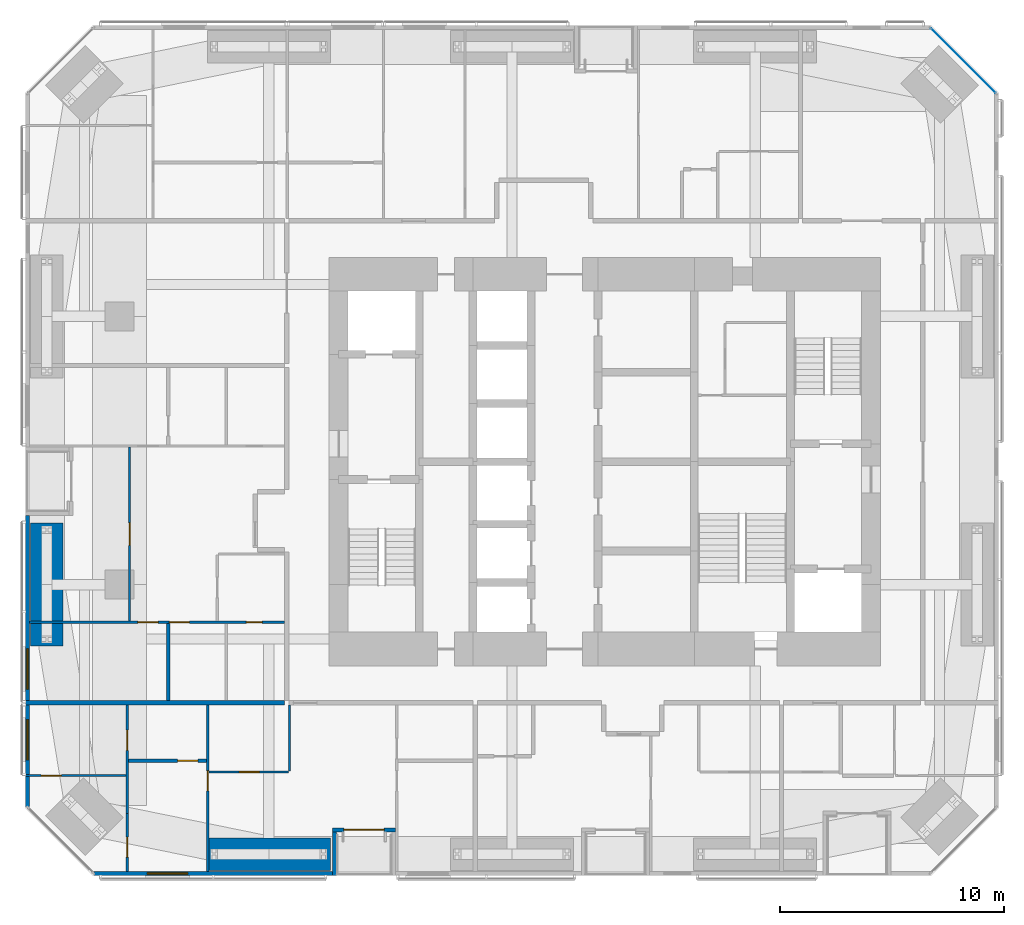
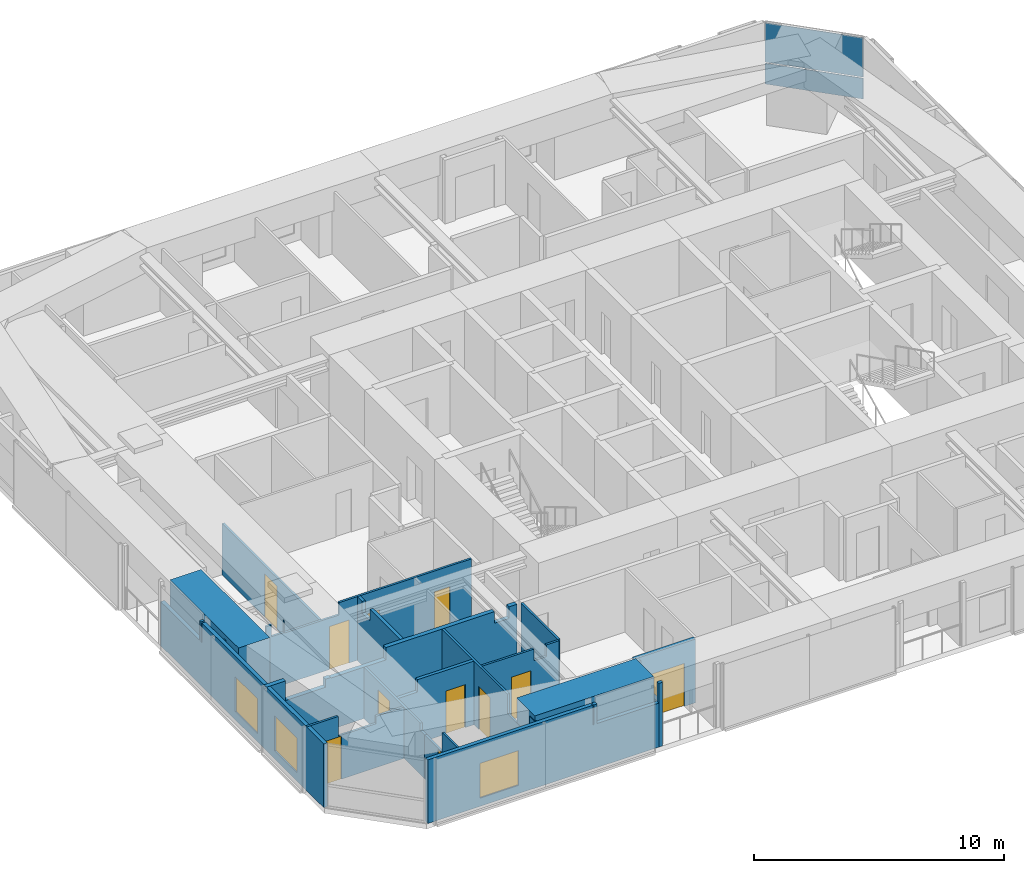
# One storey, part 16 of 23: 17 walls, 11 doors, 3 windows, 2 plates, 14 openings, 1 element without a shape of its own.
"""IFC4 building model written with IfcOpenShell, lengths in metres."""

from ifc_helpers import new_model, si_unit, direction, frame, frame_2d, origin, origin_2d, place, context, subcontext, project, spatial, polyline, rectangle, outline, extrude, material, layer, layer_set, constituent, constituent_set, type_object, element, fill, aggregate, save


model = new_model("IFC4")

# Units and contexts
model_context = context("Model", 3, precision=1e-05, world=origin(), true_north=direction((0.0, 1.0)))
body_context = subcontext(model_context, "Body", "Model", "MODEL_VIEW")
ifc_project = project(units=[si_unit("LENGTHUNIT", "METRE"), si_unit("AREAUNIT", "SQUARE_METRE"), si_unit("VOLUMEUNIT", "CUBIC_METRE"), si_unit("PLANEANGLEUNIT", "RADIAN"), si_unit("MASSUNIT", "GRAM", prefix="KILO")], contexts=[model_context])

# Site, building, storey
site_placement = place(None, origin())
site = spatial("IfcSite", under=ifc_project, at=site_placement, CompositionType="ELEMENT")
building_placement = place(site_placement, origin())
building = spatial("IfcBuilding", under=site, at=building_placement, Name="Jalousie Tower", CompositionType="ELEMENT")
storey_placement = place(building_placement, frame((0.0, 0.0, 111.550048828125)))
storey = spatial("IfcBuildingStorey", under=building, at=storey_placement, Name="L30", CompositionType="ELEMENT", Elevation=111.550048828125)

# Curtain wall, plates
ifc_material_1 = material(Name="Aluminium curtain wall", Category="aluminium")
curtain_wall_type = type_object("IfcCurtainWallType", Name="CORNER WINDOW WALL", PredefinedType="USERDEFINED", material=ifc_material_1)
curtain_wall_placement = place(storey_placement, origin())
curtain_wall = element("IfcCurtainWall", 1, at=curtain_wall_placement, inside=storey, type_object=curtain_wall_type, Name="Corner Window Wall L30 4", ObjectType="CORNER WINDOW WALL", PredefinedType="USERDEFINED")
ifc_material_2 = material(Name="Laminated impact-rated spandrel glass", Category="glass")
ifc_layer_1 = layer(ifc_material_2, 0.028076171875)
ifc_layer_set_1 = layer_set([ifc_layer_1], Name="Laminated impact-rated spandrel glass")
plate_type = type_object("IfcPlateType", Name="CORNER WINDOW WALL PANEL", PredefinedType="CURTAIN_PANEL", material=ifc_layer_set_1)
plate_1_placement = place(storey_placement, frame((47.9306640625, 36.4306640625, 0.06005859375), z_axis=(0.0, 0.0, 1.0), x_axis=(-0.707106781187, 0.707106781187, 0.0)))
plate_1 = element("IfcPlate", 2, at=plate_1_placement, type_object=plate_type, Name="CW-C panel 1.1", PredefinedType="CURTAIN_PANEL", context=body_context, shape_type="SweptSolid", body=[
    extrude(rectangle(XDim=4.071533203125, YDim=0.028076171875, at=origin_2d()), origin(), (0.0, 0.0, 1.0), 1.010009765625),
])
plate_2_placement = place(storey_placement, frame((47.9306640625, 36.4306640625, 1.1298828125), z_axis=(0.0, 0.0, 1.0), x_axis=(-0.707106781187, 0.707106781187, 0.0)))
plate_2 = element("IfcPlate", 3, at=plate_2_placement, type_object=plate_type, Name="CW-C panel 1.2", PredefinedType="CURTAIN_PANEL", context=body_context, shape_type="SweptSolid", body=[
    extrude(rectangle(XDim=4.071533203125, YDim=0.028076171875, at=origin_2d()), origin(), (0.0, 0.0, 1.0), 1.919921875),
])
aggregate(curtain_wall, [plate_1, plate_2])

# Wall, opening, door
ifc_material_3 = material(Name="Concrete block ASTM C90", Category="concrete")
ifc_constituent_1 = constituent(ifc_material_3, Name="Body")
ifc_material_4 = material(Name="Render")
ifc_constituent_2 = constituent(ifc_material_4, Name="Finish")
ifc_constituent_set_1 = constituent_set(constituents=[ifc_constituent_1, ifc_constituent_2])
wall_type_1 = type_object("IfcWallType", Name="BATHROOM WALL 150", PredefinedType="PLUMBINGWALL", material=ifc_constituent_set_1)
wall_1_placement = place(storey_placement, frame((10.60009765625, 5.125, 0.0), z_axis=(0.0, 0.0, 1.0), x_axis=(1.0, 0.0, 0.0)))
wall_1 = element("IfcWall", 4, at=wall_1_placement, inside=storey, type_object=wall_type_1, Name="Bathroom Wall 150 L30", PredefinedType="PLUMBINGWALL", context=body_context, shape_type="SweptSolid", body=[
    extrude(outline(polyline([(0.0, 0.0), (3.5, 0.0), (3.5, 3.10986328125), (0.885009765625, 3.10986328125), (0.885009765625, 2.510009765625), (0.0, 2.510009765625), (0.0, 3.10986328125), (0.0, 0.0)])), frame((0.0, 0.074951171875, 0.0), z_axis=(0.0, -1.0, 0.0), x_axis=(1.0, 0.0, 0.0)), (0.0, 0.0, 1.0), 0.14990234375),
])
opening_1_placement = place(wall_1_placement, frame((2.199951171875, 0.0, 0.0)))
opening_1 = element("IfcOpeningElement", 5, at=opening_1_placement, cuts=wall_1, Name="Opening D3", PredefinedType="OPENING", context=body_context, shape_type="SweptSolid", body=[
    extrude(rectangle(XDim=0.89990234375, YDim=2.10009765625, at=frame_2d((0.449951171875, 1.050048828125))), frame((0.0, 0.0849609375, 0.0), z_axis=(0.0, -1.0, 0.0), x_axis=(1.0, 0.0, 0.0)), (0.0, 0.0, 1.0), 0.169921875),
])
ifc_material_5 = material(Name="Timber door", Category="wood")
door_type_1 = type_object("IfcDoorType", Name="BATHROOM DOOR 900", OperationType="SINGLE_SWING_LEFT", PredefinedType="DOOR", material=ifc_material_5)
door_1_placement = place(opening_1_placement, origin())
door_1 = element("IfcDoor", 6, at=door_1_placement, inside=storey, type_object=door_type_1, Name="Apartment 3001 bedroom 2 bathroom door", OperationType="SINGLE_SWING_RIGHT", OverallHeight=2.10009765625, OverallWidth=0.89990234375, PredefinedType="DOOR", context=body_context, shape_type="SweptSolid", body=[
    extrude(rectangle(XDim=0.89990234375, YDim=2.10009765625, at=frame_2d((0.449951171875, 1.050048828125))), frame((0.0, 0.02490234375, 0.0), z_axis=(0.0, -1.0, 0.0), x_axis=(1.0, 0.0, 0.0)), (0.0, 0.0, 1.0), 0.050048828125),
])
fill(opening_1, door_1)

# Wall
wall_2_placement = place(storey_placement, frame((12.375, 7.824951171875, 0.0), z_axis=(0.0, 0.0, 1.0), x_axis=(0.0, 1.0, 0.0)))
element("IfcWall", 7, at=wall_2_placement, inside=storey, type_object=wall_type_1, Name="Bathroom Wall 150 L30", PredefinedType="PLUMBINGWALL", context=body_context, shape_type="SweptSolid", body=[
    extrude(outline(polyline([(0.0, 0.0), (3.449951171875, 0.0), (3.449951171875, 3.10986328125), (3.0625, 3.10986328125), (3.0625, 2.541015625), (2.4375, 2.541015625), (2.4375, 3.10986328125), (0.0, 3.10986328125), (0.0, 0.0)])), frame((0.0, 0.074951171875, 0.0), z_axis=(0.0, -1.0, 0.0), x_axis=(1.0, 0.0, 0.0)), (0.0, 0.0, 1.0), 0.14990234375),
])

# Wall, opening, window
ifc_material_6 = material(Name="Concrete f'c 40 MPa", Category="concrete")
ifc_constituent_3 = constituent(ifc_material_6, Name="Body")
ifc_material_7 = material(Name="Render, pastel sea green")
ifc_constituent_4 = constituent(ifc_material_7, Name="Finish")
ifc_constituent_set_2 = constituent_set(constituents=[ifc_constituent_3, ifc_constituent_4])
wall_type_2 = type_object("IfcWallType", Name="EXTERNAL WALL 175 SEA GREEN RENDER", PredefinedType="SOLIDWALL", material=ifc_constituent_set_2)
wall_3_placement = place(storey_placement, frame((9.05126953125, 0.08740234375, 0.0), z_axis=(0.0, 0.0, 1.0), x_axis=(1.0, 0.0, 0.0)))
wall_3 = element("IfcWall", 8, at=wall_3_placement, inside=storey, type_object=wall_type_2, Name="External Wall 175 Sea Green Render L30", PredefinedType="SOLIDWALL", context=body_context, shape_type="SweptSolid", body=[
    extrude(outline(polyline([(0.0, 0.0), (10.673828125, 0.0), (10.673583984375, 2.14990234375), (7.82373046875, 2.14990234375), (7.82373046875, 3.10986328125), (7.66552734375, 3.10986328125), (7.66552734375, 2.14990234375), (7.620361328125, 2.14990234375), (7.620361328125, 3.10986328125), (0.0, 3.10986328125), (0.0, 0.0)])), frame((0.0, 0.08740234375, 0.0), z_axis=(0.0, -1.0, 0.0), x_axis=(1.0, 0.0, 0.0)), (0.0, 0.0, 1.0), 0.175048828125),
])
opening_2_placement = place(wall_3_placement, frame((2.398681640625, 0.0, 0.39990234375)))
opening_2 = element("IfcOpeningElement", 9, at=opening_2_placement, cuts=wall_3, Name="Opening W-BED170", PredefinedType="OPENING", context=body_context, shape_type="SweptSolid", body=[
    extrude(rectangle(XDim=1.800048828125, YDim=1.699951171875, at=frame_2d((0.89990234375, 0.85009765625))), frame((0.0, 0.097412109375, 0.0), z_axis=(0.0, -1.0, 0.0), x_axis=(1.0, 0.0, 0.0)), (0.0, 0.0, 1.0), 0.195068359375),
])
ifc_material_8 = material(Name="Aluminium frame, impact-rated glazing", Category="aluminium")
window_type = type_object("IfcWindowType", Name="WINDOW BED 1800x1700", PartitioningType="SINGLE_PANEL", PredefinedType="WINDOW", material=ifc_material_8)
window_1_placement = place(opening_2_placement, origin())
window_1 = element("IfcWindow", 10, at=window_1_placement, inside=storey, type_object=window_type, Name="Apartment 3001 bedroom 2 window", OverallHeight=1.699951171875, OverallWidth=1.800048828125, PartitioningType="SINGLE_PANEL", PredefinedType="WINDOW", context=body_context, shape_type="SweptSolid", body=[
    extrude(rectangle(XDim=1.800048828125, YDim=1.699951171875, at=frame_2d((0.89990234375, 0.85009765625))), frame((0.0, 0.030029296875, 0.0), z_axis=(0.0, -1.0, 0.0), x_axis=(1.0, 0.0, 0.0)), (0.0, 0.0, 1.0), 0.06005859375),
])
fill(opening_2, window_1)

# Wall, opening, door
wall_4_placement = place(storey_placement, frame((19.72509765625, 2.03759765625, 0.0), z_axis=(0.0, 0.0, 1.0), x_axis=(1.0, 0.0, 0.0)))
wall_4 = element("IfcWall", 11, at=wall_4_placement, inside=storey, type_object=wall_type_2, Name="External Wall 175 Sea Green Render L30", PredefinedType="SOLIDWALL", context=body_context, shape_type="SweptSolid", body=[
    extrude(rectangle(XDim=2.824951171875, YDim=0.175048828125, at=frame_2d((1.41259765625, 0.0))), origin(), (0.0, 0.0, 1.0), 3.10986328125),
])
opening_3_placement = place(wall_4_placement, frame((0.512451171875, 0.0, 0.0)))
opening_3 = element("IfcOpeningElement", 12, at=opening_3_placement, cuts=wall_4, Name="Opening D-BAL21", PredefinedType="OPENING", context=body_context, shape_type="SweptSolid", body=[
    extrude(rectangle(XDim=1.800048828125, YDim=2.10009765625, at=frame_2d((0.89990234375, 1.050048828125))), frame((0.0, 0.097412109375, 0.0), z_axis=(0.0, -1.0, 0.0), x_axis=(1.0, 0.0, 0.0)), (0.0, 0.0, 1.0), 0.195068359375),
])
ifc_material_9 = material(Name="Aluminium frame, impact-rated glazing", Category="aluminium")
door_type_2 = type_object("IfcDoorType", Name="BALCONY DOOR 1800x2100", OperationType="SLIDING_TO_LEFT", PredefinedType="DOOR", material=ifc_material_9)
door_2_placement = place(opening_3_placement, origin())
door_2 = element("IfcDoor", 13, at=door_2_placement, inside=storey, type_object=door_type_2, Name="Apartment 3001 living and dining room loggia door", OperationType="SLIDING_TO_LEFT", OverallHeight=2.10009765625, OverallWidth=1.800048828125, PredefinedType="DOOR", context=body_context, shape_type="SweptSolid", body=[
    extrude(rectangle(XDim=1.800048828125, YDim=2.10009765625, at=frame_2d((0.89990234375, 1.050048828125))), frame((0.0, 0.02490234375, 0.0), z_axis=(0.0, -1.0, 0.0), x_axis=(1.0, 0.0, 0.0)), (0.0, 0.0, 1.0), 0.050048828125),
])
fill(opening_3, door_2)

# Wall
wall_5_placement = place(storey_placement, frame((19.8125, 0.0, 0.0), z_axis=(0.0, 0.0, 1.0), x_axis=(0.0, 1.0, 0.0)))
element("IfcWall", 14, at=wall_5_placement, inside=storey, type_object=wall_type_2, Name="External Wall 175 Sea Green Render L30", PredefinedType="SOLIDWALL", context=body_context, shape_type="SweptSolid", body=[
    extrude(outline(polyline([(0.0, 0.0), (1.949951171875, 0.0), (1.949951171875, 3.10986328125), (1.75, 3.10986328125), (1.75, 2.14990234375), (0.14990234375, 2.14990234375), (0.14990234375, 3.10986328125), (0.0, 3.10986328125), (0.0, 0.0)])), frame((0.0, 0.08740234375, 0.0), z_axis=(0.0, -1.0, 0.0), x_axis=(1.0, 0.0, 0.0)), (0.0, 0.0, 1.0), 0.175048828125),
])

# Wall, openings, windows
wall_6_placement = place(storey_placement, frame((6.08740234375, 16.10009765625, 0.0), z_axis=(0.0, 0.0, 1.0), x_axis=(0.0, -1.0, 0.0)))
wall_6 = element("IfcWall", 15, at=wall_6_placement, inside=storey, type_object=wall_type_2, Name="External Wall 175 Sea Green Render L30", PredefinedType="SOLIDWALL", context=body_context, shape_type="SweptSolid", body=[
    extrude(outline(polyline([(0.0, 0.0), (13.048828125, 0.0), (13.048583984375, 3.10986328125), (3.318603515625, 3.10986328125), (3.318603515625, 2.14990234375), (3.2255859375, 2.14990234375), (3.2255859375, 3.10986328125), (3.10009765625, 3.10986328125), (3.10009765625, 2.14990234375), (0.0, 2.14990234375), (0.0, 0.0)])), frame((0.0, 0.08740234375, 0.0), z_axis=(0.0, -1.0, 0.0), x_axis=(1.0, 0.0, 0.0)), (0.0, 0.0, 1.0), 0.175048828125),
])
opening_4_placement = place(wall_6_placement, frame((5.97509765625, 0.0, 0.39990234375)))
opening_4 = element("IfcOpeningElement", 16, at=opening_4_placement, cuts=wall_6, Name="Opening W-BED170", PredefinedType="OPENING", context=body_context, shape_type="SweptSolid", body=[
    extrude(rectangle(XDim=1.800048828125, YDim=1.699951171875, at=frame_2d((0.89990234375, 0.85009765625))), frame((0.0, 0.097412109375, 0.0), z_axis=(0.0, -1.0, 0.0), x_axis=(1.0, 0.0, 0.0)), (0.0, 0.0, 1.0), 0.195068359375),
])
opening_5_placement = place(wall_6_placement, frame((9.130615234375, 0.0, 0.39990234375)))
opening_5 = element("IfcOpeningElement", 17, at=opening_5_placement, cuts=wall_6, Name="Opening W-BED170", PredefinedType="OPENING", context=body_context, shape_type="SweptSolid", body=[
    extrude(rectangle(XDim=1.800048828125, YDim=1.699951171875, at=frame_2d((0.89990234375, 0.85009765625))), frame((0.0, 0.097412109375, 0.0), z_axis=(0.0, -1.0, 0.0), x_axis=(1.0, 0.0, 0.0)), (0.0, 0.0, 1.0), 0.195068359375),
])
window_2_placement = place(opening_4_placement, origin())
window_2 = element("IfcWindow", 18, at=window_2_placement, inside=storey, type_object=window_type, Name="Apartment 3005 bedroom 1 window", OverallHeight=1.699951171875, OverallWidth=1.800048828125, PartitioningType="SINGLE_PANEL", PredefinedType="WINDOW", context=body_context, shape_type="SweptSolid", body=[
    extrude(rectangle(XDim=1.800048828125, YDim=1.699951171875, at=frame_2d((0.89990234375, 0.85009765625))), frame((0.0, 0.030029296875, 0.0), z_axis=(0.0, -1.0, 0.0), x_axis=(1.0, 0.0, 0.0)), (0.0, 0.0, 1.0), 0.06005859375),
])
fill(opening_4, window_2)
window_3_placement = place(opening_5_placement, origin())
window_3 = element("IfcWindow", 19, at=window_3_placement, inside=storey, type_object=window_type, Name="Apartment 3001 bedroom 1 window", OverallHeight=1.699951171875, OverallWidth=1.800048828125, PartitioningType="SINGLE_PANEL", PredefinedType="WINDOW", context=body_context, shape_type="SweptSolid", body=[
    extrude(rectangle(XDim=1.800048828125, YDim=1.699951171875, at=frame_2d((0.89990234375, 0.85009765625))), frame((0.0, 0.030029296875, 0.0), z_axis=(0.0, -1.0, 0.0), x_axis=(1.0, 0.0, 0.0)), (0.0, 0.0, 1.0), 0.06005859375),
])
fill(opening_5, window_3)

# Wall, opening, door
ifc_material_10 = material(Name="Gypsum board", Category="gypsum")
ifc_constituent_5 = constituent(ifc_material_10, Name="Body")
ifc_material_11 = material(Name="Light-gauge steel studs ASTM A653 SS Grade 33", Category="steel")
ifc_constituent_6 = constituent(ifc_material_11, Name="Framing")
ifc_constituent_set_3 = constituent_set(constituents=[ifc_constituent_5, ifc_constituent_6])
wall_type_3 = type_object("IfcWallType", Name="PARTITION 100", PredefinedType="PARTITIONING", material=ifc_constituent_set_3)
wall_7_placement = place(storey_placement, frame((10.550048828125, 0.175048828125, 0.0), z_axis=(0.0, 0.0, 1.0), x_axis=(0.0, 1.0, 0.0)))
wall_7 = element("IfcWall", 20, at=wall_7_placement, inside=storey, type_object=wall_type_3, Name="Partition 100 L30-A", PredefinedType="PARTITIONING", context=body_context, shape_type="SweptSolid", body=[
    extrude(outline(polyline([(0.0, 0.0), (2.5849609375, 0.0), (2.5849609375, 2.14990234375), (1.1875, 2.14990234375), (1.1875, 3.10986328125), (0.0, 3.10986328125), (0.0, 0.0)])), frame((0.0, 0.050048828125, 0.0), z_axis=(0.0, -1.0, 0.0), x_axis=(1.0, 0.0, 0.0)), (0.0, 0.0, 1.0), 0.10009765625),
])
opening_6_placement = place(wall_7_placement, frame((0.638916015625, 0.0, 0.0)))
opening_6 = element("IfcOpeningElement", 21, at=opening_6_placement, cuts=wall_7, Name="Opening D2", PredefinedType="OPENING", context=body_context, shape_type="SweptSolid", body=[
    extrude(rectangle(XDim=0.89990234375, YDim=2.10009765625, at=frame_2d((0.449951171875, 1.050048828125))), frame((0.0, 0.06005859375, 0.0), z_axis=(0.0, -1.0, 0.0), x_axis=(1.0, 0.0, 0.0)), (0.0, 0.0, 1.0), 0.1201171875),
])
ifc_material_12 = material(Name="Timber door", Category="wood")
door_type_3 = type_object("IfcDoorType", Name="BEDROOM DOOR 900", OperationType="SINGLE_SWING_LEFT", PredefinedType="DOOR", material=ifc_material_12)
door_3_placement = place(opening_6_placement, frame((0.89990234375, 0.0, 0.0), z_axis=(0.0, 0.0, 1.0), x_axis=(-1.0, 0.0, 0.0)))
door_3 = element("IfcDoor", 22, at=door_3_placement, inside=storey, type_object=door_type_3, Name="Apartment 3001 bedroom 1 door", OperationType="SINGLE_SWING_RIGHT", OverallHeight=2.10009765625, OverallWidth=0.89990234375, PredefinedType="DOOR", context=body_context, shape_type="SweptSolid", body=[
    extrude(rectangle(XDim=0.89990234375, YDim=2.10009765625, at=frame_2d((0.449951171875, 1.050048828125))), frame((0.0, 0.02490234375, 0.0), z_axis=(0.0, -1.0, 0.0), x_axis=(1.0, 0.0, 0.0)), (0.0, 0.0, 1.0), 0.050048828125),
])
fill(opening_6, door_3)

wall_8_placement = place(storey_placement, frame((10.550048828125, 2.760009765625, 0.0), z_axis=(0.0, 0.0, 1.0), x_axis=(0.0, 1.0, 0.0)))
wall_8 = element("IfcWall", 23, at=wall_8_placement, inside=storey, type_object=wall_type_3, Name="Partition 100 L30-B", PredefinedType="PARTITIONING", context=body_context, shape_type="SweptSolid", body=[
    extrude(outline(polyline([(0.0, 0.0), (4.864990234375, 0.0), (4.864990234375, 2.510009765625), (0.35791015625, 2.510009765625), (0.35791015625, 2.14990234375), (0.0, 2.14990234375), (0.0, 0.0)])), frame((0.0, 0.050048828125, 0.0), z_axis=(0.0, -1.0, 0.0), x_axis=(1.0, 0.0, 0.0)), (0.0, 0.0, 1.0), 0.10009765625),
])
opening_7_placement = place(wall_8_placement, frame((2.83447265625, 0.0, 0.0)))
opening_7 = element("IfcOpeningElement", 24, at=opening_7_placement, cuts=wall_8, Name="Opening D3", PredefinedType="OPENING", context=body_context, shape_type="SweptSolid", body=[
    extrude(rectangle(XDim=0.89990234375, YDim=2.10009765625, at=frame_2d((0.449951171875, 1.050048828125))), frame((0.0, 0.06005859375, 0.0), z_axis=(0.0, -1.0, 0.0), x_axis=(1.0, 0.0, 0.0)), (0.0, 0.0, 1.0), 0.1201171875),
])
door_4_placement = place(opening_7_placement, frame((0.89990234375, 0.0, 0.0), z_axis=(0.0, 0.0, 1.0), x_axis=(-1.0, 0.0, 0.0)))
door_4 = element("IfcDoor", 25, at=door_4_placement, inside=storey, type_object=door_type_1, Name="Apartment 3001 bedroom 1 bathroom door", OperationType="SINGLE_SWING_RIGHT", OverallHeight=2.10009765625, OverallWidth=0.89990234375, PredefinedType="DOOR", context=body_context, shape_type="SweptSolid", body=[
    extrude(rectangle(XDim=0.89990234375, YDim=2.10009765625, at=frame_2d((0.449951171875, 1.050048828125))), frame((0.0, 0.02490234375, 0.0), z_axis=(0.0, -1.0, 0.0), x_axis=(1.0, 0.0, 0.0)), (0.0, 0.0, 1.0), 0.050048828125),
])
fill(opening_7, door_4)

wall_9_placement = place(storey_placement, frame((14.14990234375, 0.175048828125, 0.0), z_axis=(0.0, 0.0, 1.0), x_axis=(0.0, 1.0, 0.0)))
wall_9 = element("IfcWall", 26, at=wall_9_placement, inside=storey, type_object=wall_type_3, Name="Partition 100 L30", PredefinedType="PARTITIONING", context=body_context, shape_type="SweptSolid", body=[
    extrude(outline(polyline([(0.0, 0.0), (7.449951171875, 0.0), (7.449951171875, 3.10986328125), (2.20849609375, 3.10986328125), (2.20849609375, 2.14990234375), (0.453125, 2.14990234375), (0.453125, 3.10986328125), (0.0, 3.10986328125), (0.0, 0.0)])), frame((0.0, 0.050048828125, 0.0), z_axis=(0.0, -1.0, 0.0), x_axis=(1.0, 0.0, 0.0)), (0.0, 0.0, 1.0), 0.10009765625),
])
opening_8_placement = place(wall_9_placement, frame((3.60009765625, 0.0, 0.0)))
opening_8 = element("IfcOpeningElement", 27, at=opening_8_placement, cuts=wall_9, Name="Opening D2", PredefinedType="OPENING", context=body_context, shape_type="SweptSolid", body=[
    extrude(rectangle(XDim=0.89990234375, YDim=2.10009765625, at=frame_2d((0.449951171875, 1.050048828125))), frame((0.0, 0.06005859375, 0.0), z_axis=(0.0, -1.0, 0.0), x_axis=(1.0, 0.0, 0.0)), (0.0, 0.0, 1.0), 0.1201171875),
])
door_5_placement = place(opening_8_placement, origin())
door_5 = element("IfcDoor", 28, at=door_5_placement, inside=storey, type_object=door_type_3, Name="Apartment 3001 bedroom 2 door", OperationType="SINGLE_SWING_RIGHT", OverallHeight=2.10009765625, OverallWidth=0.89990234375, PredefinedType="DOOR", context=body_context, shape_type="SweptSolid", body=[
    extrude(rectangle(XDim=0.89990234375, YDim=2.10009765625, at=frame_2d((0.449951171875, 1.050048828125))), frame((0.0, 0.02490234375, 0.0), z_axis=(0.0, -1.0, 0.0), x_axis=(1.0, 0.0, 0.0)), (0.0, 0.0, 1.0), 0.050048828125),
])
fill(opening_8, door_5)

wall_10_placement = place(storey_placement, frame((6.0, 4.4638671875, 0.0), z_axis=(0.0, 0.0, 1.0), x_axis=(1.0, 0.0, 0.0)))
wall_10 = element("IfcWall", 29, at=wall_10_placement, inside=storey, type_object=wall_type_3, Name="Partition 100 L30", PredefinedType="PARTITIONING", context=body_context, shape_type="SweptSolid", body=[
    extrude(outline(polyline([(0.0, 0.0), (4.5, 0.0), (4.5, 3.10986328125), (4.5, 2.510009765625), (3.20556640625, 2.510009765625), (3.20556640625, 2.14990234375), (1.462890625, 2.14990234375), (1.462890625, 3.10986328125), (0.0, 3.10986328125), (0.0, 0.0)])), frame((0.0, 0.050048828125, 0.0), z_axis=(0.0, -1.0, 0.0), x_axis=(1.0, 0.0, 0.0)), (0.0, 0.0, 1.0), 0.10009765625),
])
opening_9_placement = place(wall_10_placement, frame((0.699951171875, 0.0, 0.0)))
opening_9 = element("IfcOpeningElement", 30, at=opening_9_placement, cuts=wall_10, Name="Opening D7", PredefinedType="OPENING", context=body_context, shape_type="SweptSolid", body=[
    extrude(rectangle(XDim=0.89990234375, YDim=2.10009765625, at=frame_2d((0.449951171875, 1.050048828125))), frame((0.0, 0.06005859375, 0.0), z_axis=(0.0, -1.0, 0.0), x_axis=(1.0, 0.0, 0.0)), (0.0, 0.0, 1.0), 0.1201171875),
])
ifc_material_13 = material(Name="Timber door", Category="wood")
door_type_4 = type_object("IfcDoorType", Name="INTERNAL DOOR 900", OperationType="SINGLE_SWING_LEFT", PredefinedType="DOOR", material=ifc_material_13)
door_6_placement = place(opening_9_placement, origin())
door_6 = element("IfcDoor", 31, at=door_6_placement, inside=storey, type_object=door_type_4, Name="Apartment 3001 bedroom 1 dressing hall door", OperationType="SINGLE_SWING_LEFT", OverallHeight=2.10009765625, OverallWidth=0.89990234375, PredefinedType="DOOR", context=body_context, shape_type="SweptSolid", body=[
    extrude(rectangle(XDim=0.89990234375, YDim=2.10009765625, at=frame_2d((0.449951171875, 1.050048828125))), frame((0.0, 0.02490234375, 0.0), z_axis=(0.0, -1.0, 0.0), x_axis=(1.0, 0.0, 0.0)), (0.0, 0.0, 1.0), 0.050048828125),
])
fill(opening_9, door_6)

wall_11_placement = place(storey_placement, frame((14.199951171875, 4.625, 0.0), z_axis=(0.0, 0.0, 1.0), x_axis=(1.0, 0.0, 0.0)))
wall_11 = element("IfcWall", 32, at=wall_11_placement, inside=storey, type_object=wall_type_3, Name="Partition 100 L30", PredefinedType="PARTITIONING", context=body_context, shape_type="SweptSolid", body=[
    extrude(outline(polyline([(0.0, 0.0), (3.550048828125, 0.0), (3.550048828125, 3.10986328125), (2.96240234375, 3.10986328125), (2.96240234375, 2.541015625), (2.3876953125, 2.541015625), (2.3876953125, 3.10986328125), (0.0, 3.10986328125), (0.0, 0.0)])), frame((0.0, 0.050048828125, 0.0), z_axis=(0.0, -1.0, 0.0), x_axis=(1.0, 0.0, 0.0)), (0.0, 0.0, 1.0), 0.10009765625),
])
opening_10_placement = place(wall_11_placement, frame((1.35009765625, 0.0, 0.0)))
opening_10 = element("IfcOpeningElement", 33, at=opening_10_placement, cuts=wall_11, Name="Opening D7", PredefinedType="OPENING", context=body_context, shape_type="SweptSolid", body=[
    extrude(rectangle(XDim=0.89990234375, YDim=2.10009765625, at=frame_2d((0.449951171875, 1.050048828125))), frame((0.0, 0.06005859375, 0.0), z_axis=(0.0, -1.0, 0.0), x_axis=(1.0, 0.0, 0.0)), (0.0, 0.0, 1.0), 0.1201171875),
])
door_7_placement = place(opening_10_placement, frame((0.89990234375, 0.0, 0.0), z_axis=(0.0, 0.0, 1.0), x_axis=(-1.0, 0.0, 0.0)))
door_7 = element("IfcDoor", 34, at=door_7_placement, inside=storey, type_object=door_type_4, Name="Apartment 3001 kitchen door", OperationType="SINGLE_SWING_RIGHT", OverallHeight=2.10009765625, OverallWidth=0.89990234375, PredefinedType="DOOR", context=body_context, shape_type="SweptSolid", body=[
    extrude(rectangle(XDim=0.89990234375, YDim=2.10009765625, at=frame_2d((0.449951171875, 1.050048828125))), frame((0.0, 0.02490234375, 0.0), z_axis=(0.0, -1.0, 0.0), x_axis=(1.0, 0.0, 0.0)), (0.0, 0.0, 1.0), 0.050048828125),
])
fill(opening_10, door_7)

# Wall
wall_12_placement = place(storey_placement, frame((17.800048828125, 4.675048828125, 0.0), z_axis=(0.0, 0.0, 1.0), x_axis=(0.0, 1.0, 0.0)))
element("IfcWall", 35, at=wall_12_placement, inside=storey, type_object=wall_type_3, Name="Partition 100 L30", PredefinedType="PARTITIONING", context=body_context, shape_type="SweptSolid", body=[
    extrude(rectangle(XDim=2.949951171875, YDim=0.10009765625, at=frame_2d((1.47509765625, 0.0))), origin(), (0.0, 0.0, 1.0), 3.10986328125),
])

# Wall, openings, doors
wall_13_placement = place(storey_placement, frame((6.175048828125, 11.324951171875, 0.0), z_axis=(0.0, 0.0, 1.0), x_axis=(1.0, 0.0, 0.0)))
wall_13 = element("IfcWall", 36, at=wall_13_placement, inside=storey, type_object=wall_type_3, Name="Partition 100 L30", PredefinedType="PARTITIONING", context=body_context, shape_type="SweptSolid", body=[
    extrude(outline(polyline([(0.17529296875, 3.10986328125), (0.0, 3.10986328125), (0.0, 0.0), (0.52880859375, 0.0), (0.52880859375, 0.32470703125), (1.021240234375, 0.32470703125), (1.021240234375, 0.0), (11.39990234375, 0.0), (11.39990234375, 3.10986328125), (5.284912109375, 3.10986328125), (5.284912109375, 2.510009765625), (2.764892578125, 2.510009765625), (2.764892578125, 3.10986328125), (2.74365234375, 3.10986328125), (2.74365234375, 2.541015625), (2.1689453125, 2.541015625), (2.1689453125, 3.10986328125), (1.91796875, 3.10986328125), (1.91796875, 2.14990234375), (1.021240234375, 2.14990234375), (1.021240234375, 1.8251953125), (0.52880859375, 1.8251953125), (0.52880859375, 2.14990234375), (0.17529296875, 2.14990234375), (0.17529296875, 3.10986328125)])), frame((0.0, 0.050048828125, 0.0), z_axis=(0.0, -1.0, 0.0), x_axis=(1.0, 0.0, 0.0)), (0.0, 0.0, 1.0), 0.10009765625),
])
opening_11_placement = place(wall_13_placement, frame((4.85009765625, 0.0, 0.0)))
opening_11 = element("IfcOpeningElement", 37, at=opening_11_placement, cuts=wall_13, Name="Opening D2", PredefinedType="OPENING", context=body_context, shape_type="SweptSolid", body=[
    extrude(rectangle(XDim=0.89990234375, YDim=2.10009765625, at=frame_2d((0.449951171875, 1.050048828125))), frame((0.0, 0.06005859375, 0.0), z_axis=(0.0, -1.0, 0.0), x_axis=(1.0, 0.0, 0.0)), (0.0, 0.0, 1.0), 0.1201171875),
])
opening_12_placement = place(wall_13_placement, frame((6.25, 0.0, 0.0)))
opening_12 = element("IfcOpeningElement", 38, at=opening_12_placement, cuts=wall_13, Name="Opening D7", PredefinedType="OPENING", context=body_context, shape_type="SweptSolid", body=[
    extrude(rectangle(XDim=0.89990234375, YDim=2.10009765625, at=frame_2d((0.449951171875, 1.050048828125))), frame((0.0, 0.06005859375, 0.0), z_axis=(0.0, -1.0, 0.0), x_axis=(1.0, 0.0, 0.0)), (0.0, 0.0, 1.0), 0.1201171875),
])
opening_13_placement = place(wall_13_placement, frame((9.699951171875, 0.0, 0.0)))
opening_13 = element("IfcOpeningElement", 39, at=opening_13_placement, cuts=wall_13, Name="Opening D4", PredefinedType="OPENING", context=body_context, shape_type="SweptSolid", body=[
    extrude(rectangle(XDim=0.699951171875, YDim=2.10009765625, at=frame_2d((0.35009765625, 1.050048828125))), frame((0.0, 0.06005859375, 0.0), z_axis=(0.0, -1.0, 0.0), x_axis=(1.0, 0.0, 0.0)), (0.0, 0.0, 1.0), 0.1201171875),
])
door_8_placement = place(opening_11_placement, frame((0.89990234375, 0.0, 0.0), z_axis=(0.0, 0.0, 1.0), x_axis=(-1.0, 0.0, 0.0)))
door_8 = element("IfcDoor", 40, at=door_8_placement, inside=storey, type_object=door_type_3, Name="Apartment 3005 bedroom 1 door", OperationType="SINGLE_SWING_LEFT", OverallHeight=2.10009765625, OverallWidth=0.89990234375, PredefinedType="DOOR", context=body_context, shape_type="SweptSolid", body=[
    extrude(rectangle(XDim=0.89990234375, YDim=2.10009765625, at=frame_2d((0.449951171875, 1.050048828125))), frame((0.0, 0.02490234375, 0.0), z_axis=(0.0, -1.0, 0.0), x_axis=(1.0, 0.0, 0.0)), (0.0, 0.0, 1.0), 0.050048828125),
])
fill(opening_11, door_8)
door_9_placement = place(opening_12_placement, frame((0.89990234375, 0.0, 0.0), z_axis=(0.0, 0.0, 1.0), x_axis=(-1.0, 0.0, 0.0)))
door_9 = element("IfcDoor", 41, at=door_9_placement, inside=storey, type_object=door_type_4, Name="Apartment 3005 bathroom door", OperationType="SINGLE_SWING_RIGHT", OverallHeight=2.10009765625, OverallWidth=0.89990234375, PredefinedType="DOOR", context=body_context, shape_type="SweptSolid", body=[
    extrude(rectangle(XDim=0.89990234375, YDim=2.10009765625, at=frame_2d((0.449951171875, 1.050048828125))), frame((0.0, 0.02490234375, 0.0), z_axis=(0.0, -1.0, 0.0), x_axis=(1.0, 0.0, 0.0)), (0.0, 0.0, 1.0), 0.050048828125),
])
fill(opening_12, door_9)
ifc_material_14 = material(Name="Timber door", Category="wood")
door_type_5 = type_object("IfcDoorType", Name="STORE DOOR 700", OperationType="SINGLE_SWING_LEFT", PredefinedType="DOOR", material=ifc_material_14)
door_10_placement = place(opening_13_placement, frame((0.699951171875, 0.0, 0.0), z_axis=(0.0, 0.0, 1.0), x_axis=(-1.0, 0.0, 0.0)))
door_10 = element("IfcDoor", 42, at=door_10_placement, inside=storey, type_object=door_type_5, Name="Apartment 3005 store door", OperationType="SINGLE_SWING_RIGHT", OverallHeight=2.10009765625, OverallWidth=0.699951171875, PredefinedType="DOOR", context=body_context, shape_type="SweptSolid", body=[
    extrude(rectangle(XDim=0.699951171875, YDim=2.10009765625, at=frame_2d((0.35009765625, 1.050048828125))), frame((0.0, 0.02490234375, 0.0), z_axis=(0.0, -1.0, 0.0), x_axis=(1.0, 0.0, 0.0)), (0.0, 0.0, 1.0), 0.050048828125),
])
fill(opening_13, door_10)

# Wall, opening, door
wall_14_placement = place(storey_placement, frame((10.64990234375, 11.375, 0.0), z_axis=(0.0, 0.0, 1.0), x_axis=(0.0, 1.0, 0.0)))
wall_14 = element("IfcWall", 43, at=wall_14_placement, inside=storey, type_object=wall_type_3, Name="Partition 100 L30", PredefinedType="PARTITIONING", context=body_context, shape_type="SweptSolid", body=[
    extrude(outline(polyline([(0.0, 0.0), (7.77490234375, 0.0), (7.77490234375, 3.10986328125), (7.77490234375, 2.510009765625), (1.68505859375, 2.510009765625), (0.0, 2.510009765625), (0.0, 3.10986328125), (0.0, 0.0)])), frame((0.0, 0.050048828125, 0.0), z_axis=(0.0, -1.0, 0.0), x_axis=(1.0, 0.0, 0.0)), (0.0, 0.0, 1.0), 0.10009765625),
])
opening_14_placement = place(wall_14_placement, frame((3.387451171875, 0.0, 0.0)))
opening_14 = element("IfcOpeningElement", 44, at=opening_14_placement, cuts=wall_14, Name="Opening D6", PredefinedType="OPENING", context=body_context, shape_type="SweptSolid", body=[
    extrude(rectangle(XDim=1.0, YDim=2.10009765625, at=frame_2d((0.5, 1.050048828125))), frame((0.0, 0.06005859375, 0.0), z_axis=(0.0, -1.0, 0.0), x_axis=(1.0, 0.0, 0.0)), (0.0, 0.0, 1.0), 0.1201171875),
])
ifc_material_15 = material(Name="Timber door", Category="wood")
door_type_6 = type_object("IfcDoorType", Name="INTERNAL DOOR 1000", OperationType="SINGLE_SWING_LEFT", PredefinedType="DOOR", material=ifc_material_15)
door_11_placement = place(opening_14_placement, origin())
door_11 = element("IfcDoor", 45, at=door_11_placement, inside=storey, type_object=door_type_6, Name="Apartment 3005 hall door", OperationType="SINGLE_SWING_RIGHT", OverallHeight=2.10009765625, OverallWidth=1.0, PredefinedType="DOOR", context=body_context, shape_type="SweptSolid", body=[
    extrude(rectangle(XDim=1.0, YDim=2.10009765625, at=frame_2d((0.5, 1.050048828125))), frame((0.0, 0.02490234375, 0.0), z_axis=(0.0, -1.0, 0.0), x_axis=(1.0, 0.0, 0.0)), (0.0, 0.0, 1.0), 0.050048828125),
])
fill(opening_14, door_11)

# Walls
ifc_material_16 = material(Name="Concrete block ASTM C90", Category="concrete")
ifc_constituent_7 = constituent(ifc_material_16, Name="Body")
ifc_material_17 = material(Name="Render")
ifc_constituent_8 = constituent(ifc_material_17, Name="Finish")
ifc_constituent_set_4 = constituent_set(constituents=[ifc_constituent_7, ifc_constituent_8])
wall_type_4 = type_object("IfcWallType", Name="PARTY WALL 200", PredefinedType="PARTITIONING", material=ifc_constituent_set_4)
wall_15_placement = place(storey_placement, frame((6.0, 7.72509765625, 0.0), z_axis=(0.0, 0.0, 1.0), x_axis=(1.0, 0.0, 0.0)))
element("IfcWall", 46, at=wall_15_placement, inside=storey, type_object=wall_type_4, Name="Party Wall 200 L30", PredefinedType="PARTITIONING", context=body_context, shape_type="SweptSolid", body=[
    extrude(outline(polyline([(0.0, 0.0), (11.574951171875, 0.0), (11.574951171875, 3.10986328125), (11.21240234375, 3.10986328125), (11.21240234375, 2.541015625), (10.53759765625, 2.541015625), (10.53759765625, 3.10986328125), (5.510009765625, 3.10986328125), (5.510009765625, 2.510009765625), (2.96875, 2.510009765625), (2.96875, 2.541015625), (2.727294921875, 2.541015625), (2.727294921875, 2.14990234375), (0.883544921875, 2.14990234375), (0.883544921875, 3.10986328125), (0.0, 3.10986328125), (0.0, 0.0)])), frame((0.0, 0.10009765625, 0.0), z_axis=(0.0, -1.0, 0.0), x_axis=(1.0, 0.0, 0.0)), (0.0, 0.0, 1.0), 0.199951171875),
])
ifc_material_18 = material(Name="Concrete f'c 120 MPa", Category="concrete")
ifc_layer_2 = layer(ifc_material_18, 1.449951171875)
ifc_layer_set_2 = layer_set([ifc_layer_2], Name="Concrete f'c 120 MPa")
wall_type_5 = type_object("IfcWallType", Name="RC WALL PIER 1450", PredefinedType="SHEAR", material=ifc_layer_set_2)
for number, where, z_axis, x_axis, name in (
    (47, (14.125, 0.949951171875, 0.0), (0.0, 0.0, 1.0), (1.0, 0.0, 0.0), "Wall pier 02 L30"),
    (48, (6.949951171875, 10.25, 0.0), (0.0, 0.0, 1.0), (0.0, 1.0, 0.0), "Wall pier 14 L30"),
):
    element("IfcWall", number, at=place(storey_placement, frame(where, z_axis=z_axis, x_axis=x_axis)), inside=storey, type_object=wall_type_5, Name=name, PredefinedType="SHEAR", context=body_context, shape_type="SweptSolid", body=[
        extrude(rectangle(XDim=5.5, YDim=1.449951171875, at=frame_2d((2.75, 0.0))), origin(), (0.0, 0.0, 1.0), 3.349853515625),
    ])

save(model, "model.ifc")
